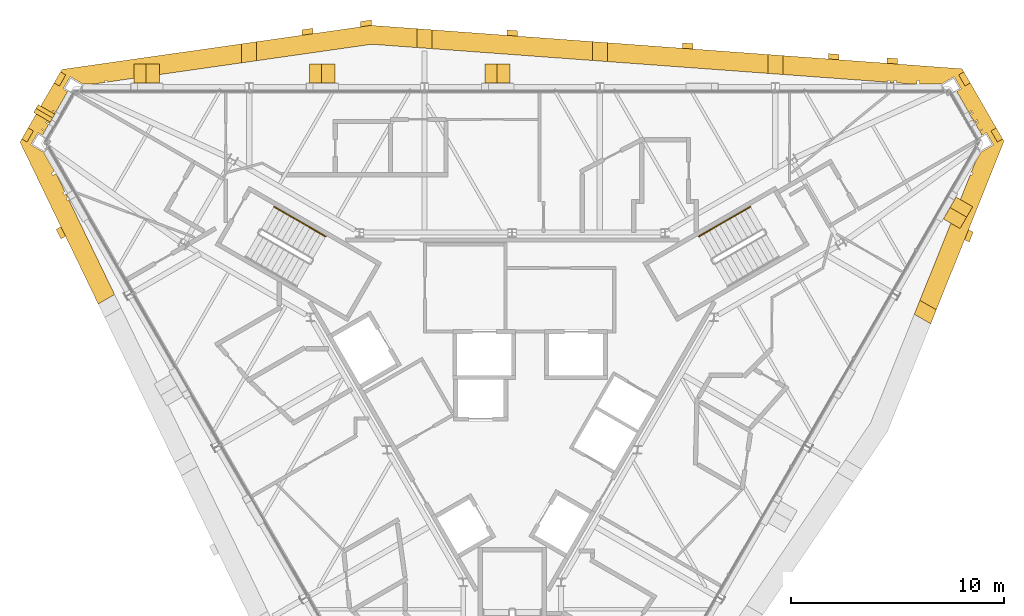
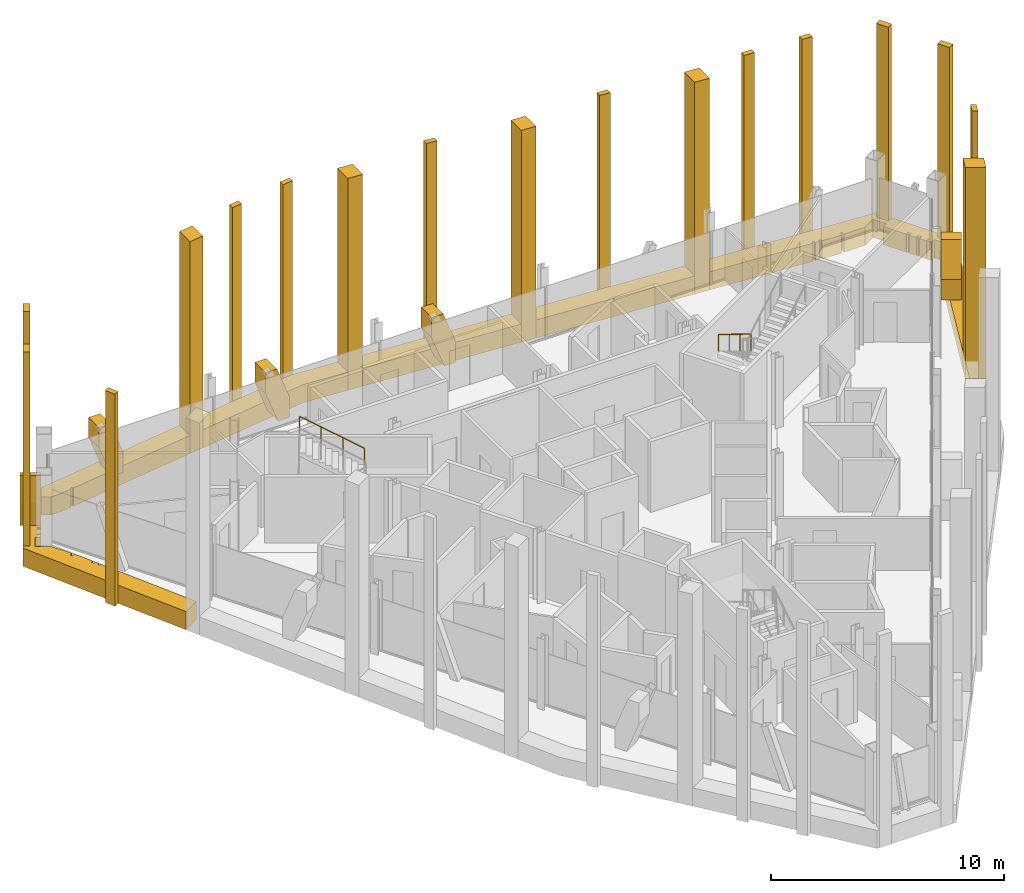
# One storey, part 15 of 15: 27 coverings, 2 railings.
"""IFC4 building model written with IfcOpenShell, lengths in metres."""

import ifcopenshell
import ifcopenshell.guid

model = None  # the IFC model being written
_history = None  # IfcOwnerHistory: only IFC2X3 demands one
_inside = {}  # id of a spatial element -> (the spatial element, [elements in it])
_under = {}  # id of a project, library or spatial element -> (it, [spatial elements below it])
_declared = {}  # id of a project -> (the project, [libraries it declares])
_typed = {}  # id of a type object -> (the type object, [elements of that type])
_made_of = {}  # id of a material, layer set ... -> (it, [elements and type objects made of it])


def new_model(schema):
    """Start an empty IFC model of exactly this schema.

    Asked for "IFC4X3", IfcOpenShell would pick the latest addendum, in which some entities
    have other attributes; the version numbers below select the first issue.
    IFC2X3 requires an IfcOwnerHistory on every rooted entity: one is made here for all.
    """
    global model, _history
    if schema == "IFC4X3":
        model = ifcopenshell.file(schema_version=(4, 3, 0, 0))
    else:
        model = ifcopenshell.file(schema=schema)
    _inside.clear()
    _under.clear()
    _declared.clear()
    _typed.clear()
    _made_of.clear()
    _history = None
    if model.schema == "IFC2X3":
        org = make("IfcOrganization", Name="unknown")
        user = make(
            "IfcPersonAndOrganization",
            ThePerson=make("IfcPerson", FamilyName="unknown"),
            TheOrganization=org,
        )
        app = make(
            "IfcApplication",
            ApplicationDeveloper=org,
            Version="unknown",
            ApplicationFullName="unknown",
            ApplicationIdentifier="unknown",
        )
        _history = make(
            "IfcOwnerHistory",
            OwningUser=user,
            OwningApplication=app,
            ChangeAction="ADDED",
            CreationDate=0,
        )
    return model


def make(cls, **values):
    """One entity of the class cls with the attributes given. An attribute that is None is left unset."""
    return model.create_entity(
        cls, **{name: value for name, value in values.items() if value is not None}
    )


def rooted(cls, **values):
    """An entity with a GlobalId (a new one), such as an element, a storey or a relation."""
    return make(cls, GlobalId=ifcopenshell.guid.new(), OwnerHistory=_history, **values)


def si_unit(unit_type, name, prefix=None):
    """IfcSIUnit, for example si_unit("LENGTHUNIT", "METRE", prefix="MILLI")."""
    return make("IfcSIUnit", UnitType=unit_type, Prefix=prefix, Name=name)


def assignment(units):
    """IfcUnitAssignment: the units of a project."""
    return None if units is None else make("IfcUnitAssignment", Units=units)


def point(xyz):
    """IfcCartesianPoint."""
    return None if xyz is None else make("IfcCartesianPoint", Coordinates=xyz)


def direction(xyz):
    """IfcDirection."""
    return None if xyz is None else make("IfcDirection", DirectionRatios=xyz)


def frame(location, z_axis=None, x_axis=None):
    """IfcAxis2Placement3D, a coordinate frame: its origin and axes. An axis left out is left unset."""
    return make(
        "IfcAxis2Placement3D",
        Location=point(location),
        Axis=direction(z_axis),
        RefDirection=direction(x_axis),
    )


def frame_2d(location, x_axis=None):
    """IfcAxis2Placement2D, a coordinate frame in the plane: its origin and x axis."""
    return make(
        "IfcAxis2Placement2D", Location=point(location), RefDirection=direction(x_axis)
    )


def origin():
    """The frame at (0, 0, 0) with its axes left unset."""
    return frame((0.0, 0.0, 0.0))


def origin_2d():
    """The frame at (0, 0) in the plane with its x axis left unset."""
    return frame_2d((0.0, 0.0))


def place(relative_to, where):
    """IfcLocalPlacement: puts the frame where relative to a parent placement (None: the world)."""
    return make(
        "IfcLocalPlacement", PlacementRelTo=relative_to, RelativePlacement=where
    )


def context(
    kind, dimensions, precision=None, world=None, true_north=None, identifier=None
):
    """IfcGeometricRepresentationContext, for example the 3D "Model" context."""
    return make(
        "IfcGeometricRepresentationContext",
        ContextIdentifier=identifier,
        ContextType=kind,
        CoordinateSpaceDimension=dimensions,
        Precision=precision,
        WorldCoordinateSystem=world,
        TrueNorth=true_north,
    )


def subcontext(parent, identifier, kind, view, scale=None):
    """IfcGeometricRepresentationSubContext, for example "Body" below "Model"."""
    return make(
        "IfcGeometricRepresentationSubContext",
        ContextIdentifier=identifier,
        ContextType=kind,
        ParentContext=parent,
        TargetScale=scale,
        TargetView=view,
    )


def project(units=None, contexts=None):
    """IfcProject with its units and contexts."""
    return rooted(
        "IfcProject",
        Name="project",
        RepresentationContexts=contexts,
        UnitsInContext=assignment(units),
    )


def spatial(cls, under=None, at=None, **own):
    """A site, building, storey or space (cls), placed at a placement, below another one or the project."""
    s = rooted(cls, ObjectPlacement=at, **own)
    if under is not None:
        _under.setdefault(under.id(), (under, []))[1].append(s)
    return s


def polyline(points):
    """IfcPolyline through the points."""
    return make("IfcPolyline", Points=[point(p) for p in points])


def profile(cls, at=None, kind="AREA", **sizes):
    """A parametric profile (cls). Its sizes go by their IFC names, for example OverallWidth=200.0."""
    return make(cls, ProfileType=kind, Position=at, **sizes)


def circle(**sizes):
    """IfcCircleProfileDef."""
    return profile("IfcCircleProfileDef", **sizes)


def outline(outer, holes=None, kind="AREA"):
    """IfcArbitraryClosedProfileDef: a profile drawn as a closed curve; with holes, ...WithVoids."""
    if holes is None:
        return make("IfcArbitraryClosedProfileDef", ProfileType=kind, OuterCurve=outer)
    return make(
        "IfcArbitraryProfileDefWithVoids",
        ProfileType=kind,
        OuterCurve=outer,
        InnerCurves=holes,
    )


def extrude(swept, where, along, depth):
    """IfcExtrudedAreaSolid: the profile swept, set in the frame where, extruded along a direction by depth."""
    return make(
        "IfcExtrudedAreaSolid",
        SweptArea=swept,
        Position=where,
        ExtrudedDirection=direction(along),
        Depth=depth,
    )


def shape(context_of_items, identifier, shape_type, items):
    """IfcShapeRepresentation: the items that make up one representation, for example the "Body"."""
    return make(
        "IfcShapeRepresentation",
        ContextOfItems=context_of_items,
        RepresentationIdentifier=identifier,
        RepresentationType=shape_type,
        Items=items,
    )


def material(Name=None, Category=None):
    """IfcMaterial."""
    return make("IfcMaterial", Name=Name, Category=Category)


def layer(
    of_material, thickness, ventilated=None, Name=None, Category=None, Priority=None
):
    """IfcMaterialLayer: one layer of a wall or slab, of a material (None: an air gap)."""
    return make(
        "IfcMaterialLayer",
        Material=of_material,
        LayerThickness=thickness,
        IsVentilated=ventilated,
        Name=Name,
        Category=Category,
        Priority=Priority,
    )


def layer_set(layers, Name=None):
    """IfcMaterialLayerSet."""
    return make("IfcMaterialLayerSet", MaterialLayers=layers, LayerSetName=Name)


def made_of(thing, what):
    """Note that an element or type object is made of a material, layer set ...; save() writes the relation."""
    if what is not None:
        _made_of.setdefault(what.id(), (what, []))[1].append(thing)
    return thing


def type_object(cls, material=None, **own):
    """A type object (cls), such as IfcWallType, which elements share."""
    return made_of(rooted(cls, **own), material)


def element(
    cls,
    number,
    at=None,
    inside=None,
    cuts=None,
    type_object=None,
    material=None,
    context=None,
    identifier="Body",
    shape_type=None,
    held_by="IfcProductDefinitionShape",
    body=None,
    shapes=None,
    **own,
):
    """One element of the class cls, such as IfcWall. Its Tag is "e" and its number.

    at: its placement. inside: the storey or other place that contains it. cuts: it is an
    opening in that element (IfcRelVoidsElement). A single representation is given by context,
    identifier, shape_type and body (its items); several are given by shapes. held_by: the class
    of the entity that holds the representations. save() writes the other relations.
    """
    e = rooted(cls, Tag="e%d" % number, ObjectPlacement=at, **own)
    if body is not None:
        shapes = [shape(context, identifier, shape_type, body)]
    if shapes is not None:
        e.Representation = make(held_by, Representations=shapes)
    if inside is not None:
        _inside.setdefault(inside.id(), (inside, []))[1].append(e)
    if cuts is not None:
        rooted(
            "IfcRelVoidsElement", RelatingBuildingElement=cuts, RelatedOpeningElement=e
        )
    if type_object is not None:
        _typed.setdefault(type_object.id(), (type_object, []))[1].append(e)
    return made_of(e, material)


def aggregate(whole, parts):
    """IfcRelAggregates: a whole, such as a stair, and the parts it consists of."""
    return rooted("IfcRelAggregates", RelatingObject=whole, RelatedObjects=parts)


def save(model, path):
    """Write the relations noted so far, then the file.

    IfcRelAggregates (storeys below a building ...), IfcRelContainedInSpatialStructure (elements
    in a storey), IfcRelDefinesByType, IfcRelAssociatesMaterial and IfcRelDeclares: one each for
    every whole, place, type object, material and project.
    """
    for whole, parts in _under.values():
        aggregate(whole, parts)
    for where, things in _inside.values():
        rooted(
            "IfcRelContainedInSpatialStructure",
            RelatedElements=things,
            RelatingStructure=where,
        )
    for kind, things in _typed.values():
        rooted("IfcRelDefinesByType", RelatedObjects=things, RelatingType=kind)
    for what, things in _made_of.values():
        rooted("IfcRelAssociatesMaterial", RelatedObjects=things, RelatingMaterial=what)
    for by, libraries in _declared.values():
        rooted("IfcRelDeclares", RelatingContext=by, RelatedDefinitions=libraries)
    model.write(path)


model = new_model("IFC4")

# Units and contexts
model_context = context("Model", 3, precision=1e-05, world=origin(), true_north=direction((0.0, 1.0)))
body_context = subcontext(model_context, "Body", "Model", "MODEL_VIEW")
ifc_project = project(units=[si_unit("LENGTHUNIT", "METRE"), si_unit("AREAUNIT", "SQUARE_METRE"), si_unit("VOLUMEUNIT", "CUBIC_METRE"), si_unit("PLANEANGLEUNIT", "RADIAN"), si_unit("MASSUNIT", "GRAM", prefix="KILO")], contexts=[model_context])

# Site, building, storey
site_placement = place(None, origin())
site = spatial("IfcSite", under=ifc_project, at=site_placement, CompositionType="ELEMENT")
building_placement = place(site_placement, origin())
building = spatial("IfcBuilding", under=site, at=building_placement, Name="Verrane Prism Tower", CompositionType="ELEMENT")
storey_placement = place(building_placement, frame((0.0, 0.0, 297.300048828125)))
storey = spatial("IfcBuildingStorey", under=building, at=storey_placement, Name="L75", CompositionType="ELEMENT", Elevation=297.300048828125)

# Railings
ifc_material_1 = material(Name="Steel A36 tube", Category="steel")
railing_type = type_object("IfcRailingType", Name="Stair handrail 900 steel tube", PredefinedType="HANDRAIL", material=ifc_material_1)
railing_1_placement = place(storey_placement, frame((11.189453125, 8.01904296875, 0.168212890625)))
element("IfcRailing", 1, at=railing_1_placement, inside=storey, type_object=railing_type, Name="Stair 1 handrail", PredefinedType="HANDRAIL", context=body_context, shape_type="SweptSolid", body=[
    extrude(circle(Radius=0.02392578125, at=origin_2d()), frame((0.0, 0.0, 0.8759765625), z_axis=(-0.74241905619, -0.428617687091, 0.514879426), x_axis=(0.49998411664, -0.866034573852, 0.0)), (0.0, 0.0, 1.0), 3.26611328125),
    extrude(circle(Radius=0.02099609375, at=origin_2d()), origin(), (0.0, 0.0, 1.0), 0.851806640625),
    extrude(circle(Radius=0.02099609375, at=origin_2d()), frame((-0.808349609375, -0.466552734375, 0.560546875)), (0.0, 0.0, 1.0), 0.851806640625),
    extrude(circle(Radius=0.02099609375, at=origin_2d()), frame((-1.616455078125, -0.933349609375, 1.12109375)), (0.0, 0.0, 1.0), 0.851806640625),
    extrude(circle(Radius=0.02099609375, at=origin_2d()), frame((-2.4248046875, -1.39990234375, 1.681640625)), (0.0, 0.0, 1.0), 0.851806640625),
])
railing_2_placement = place(storey_placement, frame((-8.7646484375, 6.619140625, 2.01806640625)))
element("IfcRailing", 2, at=railing_2_placement, inside=storey, type_object=railing_type, Name="Stair 2 handrail", PredefinedType="HANDRAIL", context=body_context, shape_type="SweptSolid", body=[
    extrude(circle(Radius=0.02392578125, at=origin_2d()), frame((0.0, 0.0, 0.8759765625), z_axis=(-0.742390482028, 0.42860119049, 0.514934356695), x_axis=(-0.49998411664, -0.866034573852, 0.0)), (0.0, 0.0, 1.0), 3.26611328125),
    extrude(circle(Radius=0.02099609375, at=origin_2d()), origin(), (0.0, 0.0, 1.0), 0.851806640625),
    extrude(circle(Radius=0.02099609375, at=origin_2d()), frame((-0.808349609375, 0.466552734375, 0.560546875)), (0.0, 0.0, 1.0), 0.851806640625),
    extrude(circle(Radius=0.02099609375, at=origin_2d()), frame((-1.616455078125, 0.933349609375, 1.121337890625)), (0.0, 0.0, 1.0), 0.851806640625),
    extrude(circle(Radius=0.02099609375, at=origin_2d()), frame((-2.4248046875, 1.39990234375, 1.681884765625)), (0.0, 0.0, 1.0), 0.851806640625),
])

# Coverings
ifc_material_2 = material(Name="Warm limestone cladding", Category="masonry")
ifc_layer_1 = layer(ifc_material_2, 0.89990234375)
ifc_layer_set_1 = layer_set([ifc_layer_1], Name="Stone brace fin 900")
covering_type_1 = type_object("IfcCoveringType", Name="Stone brace fin 900", PredefinedType="CLADDING", material=ifc_layer_set_1)
for number, where, z_axis, x_axis, name in (
    (3, (-0.093505859375, 14.27783203125, 0.0), (0.0, 0.0, 1.0), (-1.0, 0.0, 0.0), "Stone brace fin N3 L75"),
    (4, (-8.33349609375, 14.27783203125, 0.0), (0.0, 0.0, 1.0), (-1.0, 0.0, 0.0), "Stone brace fin N4 L75"),
    (5, (-16.573486328125, 14.27783203125, 0.0), (0.0, 0.0, 1.0), (-1.0, 0.0, 0.0), "Stone brace fin N5 L75"),
):
    element("IfcCovering", number, at=place(storey_placement, frame(where, z_axis=z_axis, x_axis=x_axis)), inside=storey, type_object=covering_type_1, Name=name, PredefinedType="CLADDING", context=body_context, shape_type="SweptSolid", body=[
        extrude(outline(polyline([(1.186279296875, 2.75), (0.62109375, 2.75), (0.0, 1.076416015625), (0.0, 0.0), (0.560302734375, 0.0), (1.186279296875, 1.686279296875), (1.186279296875, 2.75)])), frame((0.0, 0.449951171875, 0.0), z_axis=(0.0, -1.0, 0.0), x_axis=(1.0, 0.0, 0.0)), (0.0, 0.0, 1.0), 0.89990234375),
    ])
covering_1_placement = place(storey_placement, frame((20.650390625, 7.21728515625, 0.0), z_axis=(0.0, 0.0, 1.0), x_axis=(0.499900536046, 0.86608282171, 0.0)))
element("IfcCovering", 6, at=covering_1_placement, inside=storey, type_object=covering_type_1, Name="Stone brace fin SE5 L75", PredefinedType="CLADDING", context=body_context, shape_type="SweptSolid", body=[
    extrude(outline(polyline([(1.18701171875, 2.75), (0.62158203125, 2.75), (0.0, 1.075927734375), (0.0, 0.0), (0.560546875, 0.0), (1.18701171875, 1.686767578125), (1.18701171875, 2.75)])), frame((0.0, 0.449951171875, 0.0), z_axis=(0.0, -1.0, 0.0), x_axis=(1.0, 0.0, 0.0)), (0.0, 0.0, 1.0), 0.89990234375),
])
covering_2_placement = place(storey_placement, frame((-21.8798828125, 12.588623046875, 0.0), z_axis=(0.0, 0.0, 1.0), x_axis=(-0.500583620621, -0.865688187955, 0.0)))
element("IfcCovering", 7, at=covering_2_placement, inside=storey, type_object=covering_type_1, Name="Stone brace fin NW1 L75", PredefinedType="CLADDING", context=body_context, shape_type="SweptSolid", body=[
    extrude(outline(polyline([(0.42529296875, 2.75), (0.2041015625, 2.75), (0.0, 1.25732421875), (0.0, 0.0), (0.23828125, 0.0), (0.42529296875, 1.365478515625), (0.42529296875, 2.75)])), frame((0.0, 0.449951171875, 0.0), z_axis=(0.0, -1.0, 0.0), x_axis=(1.0, 0.0, 0.0)), (0.0, 0.0, 1.0), 0.89990234375),
])
ifc_material_3 = material(Name="Warm limestone cladding", Category="masonry")
covering_type_2 = type_object("IfcCoveringType", Name="Stone corner pier 600", PredefinedType="CLADDING", material=ifc_material_3)
covering_3_placement = place(storey_placement, frame((0.0, 0.0, -0.949951171875)))
element("IfcCovering", 8, at=covering_3_placement, inside=storey, type_object=covering_type_2, Name="Stone pier MC-NE.a L75-L77", PredefinedType="CLADDING", context=body_context, shape_type="SweptSolid", body=[
    extrude(outline(polyline([(22.4931640625, 11.578857421875), (22.5087890625, 11.5517578125), (22.793212890625, 11.05908203125), (23.039794921875, 11.20166015625), (22.73974609375, 11.72119140625), (22.4931640625, 11.578857421875)])), origin(), (0.0, 0.0, 1.0), 11.099853515625),
])
covering_4_placement = place(storey_placement, frame((0.0, 0.0, -0.949951171875)))
element("IfcCovering", 9, at=covering_4_placement, inside=storey, type_object=covering_type_2, Name="Stone pier MC-NE.b L75-L77", PredefinedType="CLADDING", context=body_context, shape_type="SweptSolid", body=[
    extrude(outline(polyline([(20.97412109375, 14.209716796875), (20.98974609375, 14.182861328125), (21.274169921875, 13.690185546875), (21.520751953125, 13.83251953125), (21.220703125, 14.352294921875), (20.97412109375, 14.209716796875)])), origin(), (0.0, 0.0, 1.0), 11.099853515625),
])
covering_5_placement = place(storey_placement, frame((0.0, 0.0, -0.949951171875)))
element("IfcCovering", 10, at=covering_5_placement, inside=storey, type_object=covering_type_2, Name="Stone pier MC-NW.a L75-L77", PredefinedType="CLADDING", context=body_context, shape_type="SweptSolid", body=[
    extrude(outline(polyline([(-21.274169921875, 13.690185546875), (-20.97412109375, 14.209716796875), (-21.220703125, 14.352294921875), (-21.520751953125, 13.83251953125), (-21.274169921875, 13.690185546875)])), origin(), (0.0, 0.0, 1.0), 11.099853515625),
])
covering_6_placement = place(storey_placement, frame((0.0, 0.0, -0.949951171875)))
element("IfcCovering", 11, at=covering_6_placement, inside=storey, type_object=covering_type_2, Name="Stone pier MC-NW.b L75-L77", PredefinedType="CLADDING", context=body_context, shape_type="SweptSolid", body=[
    extrude(outline(polyline([(-22.793212890625, 11.05908203125), (-22.4931640625, 11.578857421875), (-22.73974609375, 11.72119140625), (-23.039794921875, 11.20166015625), (-22.793212890625, 11.05908203125)])), origin(), (0.0, 0.0, 1.0), 11.099853515625),
])
ifc_material_4 = material(Name="Warm limestone cladding", Category="masonry")
covering_type_3 = type_object("IfcCoveringType", Name="Stone mullion pier 500", PredefinedType="CLADDING", material=ifc_material_4)
covering_7_placement = place(storey_placement, frame((0.0, 0.0, -0.949951171875)))
element("IfcCovering", 12, at=covering_7_placement, inside=storey, type_object=covering_type_3, Name="Stone pier SM-N0.1 L75-L77", PredefinedType="CLADDING", context=body_context, shape_type="SweptSolid", body=[
    extrude(outline(polyline([(17.607177734375, 14.757568359375), (18.107177734375, 14.720703125), (18.107177734375, 14.971435546875), (17.607177734375, 15.00830078125), (17.607177734375, 14.757568359375)])), origin(), (0.0, 0.0, 1.0), 11.099853515625),
])
covering_8_placement = place(storey_placement, frame((0.0, 0.0, -0.949951171875)))
element("IfcCovering", 13, at=covering_8_placement, inside=storey, type_object=covering_type_3, Name="Stone pier SM-N0.2 L75-L77", PredefinedType="CLADDING", context=body_context, shape_type="SweptSolid", body=[
    extrude(outline(polyline([(14.860107421875, 14.959716796875), (15.360107421875, 14.9228515625), (15.360107421875, 15.173583984375), (14.860107421875, 15.210205078125), (14.860107421875, 14.959716796875)])), origin(), (0.0, 0.0, 1.0), 11.099853515625),
])
covering_9_placement = place(storey_placement, frame((0.0, 0.0, -0.949951171875)))
element("IfcCovering", 14, at=covering_9_placement, inside=storey, type_object=covering_type_3, Name="Stone pier SM-N1.1 L75-L77", PredefinedType="CLADDING", context=body_context, shape_type="SweptSolid", body=[
    extrude(outline(polyline([(7.99169921875, 15.464599609375), (8.49169921875, 15.427978515625), (8.49169921875, 15.6787109375), (7.99169921875, 15.71533203125), (7.99169921875, 15.464599609375)])), origin(), (0.0, 0.0, 1.0), 11.099853515625),
])
covering_10_placement = place(storey_placement, frame((0.0, 0.0, -0.949951171875)))
element("IfcCovering", 15, at=covering_10_placement, inside=storey, type_object=covering_type_3, Name="Stone pier SM-N2.1 L75-L77", PredefinedType="CLADDING", context=body_context, shape_type="SweptSolid", body=[
    extrude(outline(polyline([(-0.25, 16.07080078125), (0.25, 16.033935546875), (0.25, 16.28466796875), (-0.25, 16.3212890625), (-0.25, 16.07080078125)])), origin(), (0.0, 0.0, 1.0), 11.099853515625),
])
covering_11_placement = place(storey_placement, frame((0.0, 0.0, -0.949951171875)))
element("IfcCovering", 16, at=covering_11_placement, inside=storey, type_object=covering_type_3, Name="Stone pier SM-N3.1 L75-L77", PredefinedType="CLADDING", context=body_context, shape_type="SweptSolid", body=[
    extrude(outline(polyline([(-7.1181640625, 16.468994140625), (-6.623779296875, 16.539306640625), (-6.6181640625, 16.5390625), (-6.6181640625, 16.789794921875), (-6.63232421875, 16.790771484375), (-7.1181640625, 16.721435546875), (-7.1181640625, 16.468994140625)])), origin(), (0.0, 0.0, 1.0), 11.099853515625),
])
covering_12_placement = place(storey_placement, frame((0.0, 0.0, -0.949951171875)))
element("IfcCovering", 17, at=covering_12_placement, inside=storey, type_object=covering_type_3, Name="Stone pier SM-N3.2 L75-L77", PredefinedType="CLADDING", context=body_context, shape_type="SweptSolid", body=[
    extrude(outline(polyline([(-9.865478515625, 16.07666015625), (-9.365478515625, 16.148193359375), (-9.365478515625, 16.400634765625), (-9.865478515625, 16.3291015625), (-9.865478515625, 16.07666015625)])), origin(), (0.0, 0.0, 1.0), 11.099853515625),
])
covering_13_placement = place(storey_placement, frame((0.0, 0.0, -0.949951171875)))
element("IfcCovering", 18, at=covering_13_placement, inside=storey, type_object=covering_type_3, Name="Stone pier SM-SW0.1 L75-L77", PredefinedType="CLADDING", context=body_context, shape_type="SweptSolid", body=[
    extrude(outline(polyline([(-20.984619140625, 6.62939453125), (-21.202880859375, 7.080810546875), (-21.419921875, 6.95556640625), (-21.201904296875, 6.504150390625), (-20.984619140625, 6.62939453125)])), origin(), (0.0, 0.0, 1.0), 11.099853515625),
])
covering_14_placement = place(storey_placement, frame((0.0, 0.0, -0.949951171875)))
element("IfcCovering", 19, at=covering_14_placement, inside=storey, type_object=covering_type_3, Name="Stone pier SM-SE4.1 L75-L77", PredefinedType="CLADDING", context=body_context, shape_type="SweptSolid", body=[
    extrude(outline(polyline([(21.440673828125, 6.943603515625), (21.25244140625, 6.474853515625), (21.47119140625, 6.3486328125), (21.6591796875, 6.8173828125), (21.440673828125, 6.943603515625)])), origin(), (0.0, 0.0, 1.0), 11.099853515625),
])
ifc_material_5 = material(Name="Warm limestone cladding", Category="masonry")
covering_type_4 = type_object("IfcCoveringType", Name="Stone pier 700", PredefinedType="CLADDING", material=ifc_material_5)
covering_15_placement = place(storey_placement, frame((0.0, 0.0, -0.949951171875)))
element("IfcCovering", 20, at=covering_15_placement, inside=storey, type_object=covering_type_4, Name="Stone pier PC-N1 L75-L77", PredefinedType="CLADDING", context=body_context, shape_type="SweptSolid", body=[
    extrude(outline(polyline([(12.0126953125, 15.1689453125), (12.0126953125, 14.28173828125), (12.712646484375, 14.230224609375), (12.712646484375, 15.117431640625), (12.0126953125, 15.1689453125)])), origin(), (0.0, 0.0, 1.0), 11.099853515625),
])
covering_16_placement = place(storey_placement, frame((0.0, 0.0, -0.949951171875)))
element("IfcCovering", 21, at=covering_16_placement, inside=storey, type_object=covering_type_4, Name="Stone pier PC-N2 L75-L77", PredefinedType="CLADDING", context=body_context, shape_type="SweptSolid", body=[
    extrude(outline(polyline([(3.77099609375, 15.77490234375), (3.77099609375, 14.887939453125), (4.470947265625, 14.83642578125), (4.470947265625, 15.7236328125), (3.77099609375, 15.77490234375)])), origin(), (0.0, 0.0, 1.0), 11.099853515625),
])
covering_17_placement = place(storey_placement, frame((0.0, 0.0, -0.949951171875)))
element("IfcCovering", 22, at=covering_17_placement, inside=storey, type_object=covering_type_4, Name="Stone pier PC-N3 L75-L77", PredefinedType="CLADDING", context=body_context, shape_type="SweptSolid", body=[
    extrude(outline(polyline([(-4.470947265625, 16.381103515625), (-4.470947265625, 15.493896484375), (-3.77099609375, 15.4423828125), (-3.77099609375, 16.32958984375), (-4.470947265625, 16.381103515625)])), origin(), (0.0, 0.0, 1.0), 11.099853515625),
])
covering_18_placement = place(storey_placement, frame((0.0, 0.0, -0.949951171875)))
element("IfcCovering", 23, at=covering_18_placement, inside=storey, type_object=covering_type_4, Name="Stone pier PC-N4 L75-L77", PredefinedType="CLADDING", context=body_context, shape_type="SweptSolid", body=[
    extrude(outline(polyline([(-12.712646484375, 15.67041015625), (-12.712646484375, 14.776611328125), (-12.0126953125, 14.87646484375), (-12.0126953125, 15.770263671875), (-12.712646484375, 15.67041015625)])), origin(), (0.0, 0.0, 1.0), 11.099853515625),
])
covering_19_placement = place(storey_placement, frame((0.0, 0.0, -0.949951171875)))
element("IfcCovering", 24, at=covering_19_placement, inside=storey, type_object=covering_type_4, Name="Stone pier PC-SE4 L75-L77", PredefinedType="CLADDING", context=body_context, shape_type="SweptSolid", body=[
    extrude(outline(polyline([(19.92724609375, 3.17431640625), (19.1533203125, 3.621337890625), (18.8896484375, 2.965087890625), (19.663818359375, 2.518310546875), (19.92724609375, 3.17431640625)])), origin(), (0.0, 0.0, 1.0), 11.099853515625),
])
ifc_material_6 = material(Name="Warm limestone cladding", Category="masonry")
ifc_layer_2 = layer(ifc_material_6, 0.449951171875)
ifc_layer_set_2 = layer_set([ifc_layer_2], Name="Stone spandrel band 450")
covering_type_5 = type_object("IfcCoveringType", Name="Stone spandrel band 450", PredefinedType="CLADDING", material=ifc_layer_set_2)
covering_20_placement = place(storey_placement, frame((0.0, 0.0, -0.949951171875)))
element("IfcCovering", 25, at=covering_20_placement, inside=storey, type_object=covering_type_5, Name="Stone spandrel band L75 part 2", PredefinedType="CLADDING", context=body_context, shape_type="SweptSolid", body=[
    extrude(outline(polyline([(12.712646484375, 14.230224609375), (16.573486328125, 13.9462890625), (16.573486328125, 13.949951171875), (16.69091796875, 13.949951171875), (16.69091796875, 13.937744140625), (17.637451171875, 13.8681640625), (17.637451171875, 13.949951171875), (17.759765625, 13.949951171875), (17.759765625, 13.859130859375), (17.94677734375, 13.845458984375), (17.94677734375, 13.949951171875), (18.064453125, 13.949951171875), (18.064453125, 13.8369140625), (18.791015625, 13.783447265625), (19.010986328125, 13.783447265625), (19.010986328125, 13.949951171875), (19.13330078125, 13.949951171875), (19.13330078125, 13.783447265625), (20.1708984375, 13.783447265625), (20.76416015625, 14.125732421875), (21.093994140625, 13.55419921875), (20.8837890625, 13.432861328125), (21.443115234375, 12.464111328125), (21.584716796875, 12.5458984375), (21.599365234375, 12.520263671875), (21.4580078125, 12.4384765625), (21.49853515625, 12.3681640625), (21.639892578125, 12.449951171875), (21.66357421875, 12.409423828125), (21.52197265625, 12.32763671875), (21.6962890625, 12.025390625), (21.838134765625, 12.107421875), (21.852783203125, 12.081787109375), (21.711181640625, 12.0), (21.751708984375, 11.9296875), (21.893310546875, 12.01171875), (21.916748046875, 11.97119140625), (21.775146484375, 11.88916015625), (21.949462890625, 11.587158203125), (22.09130859375, 11.669189453125), (22.106201171875, 11.6435546875), (21.96435546875, 11.5615234375), (22.07275390625, 11.373779296875), (22.2841796875, 11.495849609375), (22.614013671875, 10.92431640625), (22.027099609375, 10.585205078125), (21.77197265625, 10.143310546875), (21.57080078125, 9.642578125), (21.646484375, 9.59912109375), (21.585205078125, 9.4931640625), (21.52490234375, 9.528076171875), (19.1533203125, 3.621337890625), (19.92724609375, 3.17431640625), (23.10498046875, 11.088623046875), (23.039794921875, 11.20166015625), (22.793212890625, 11.05908203125), (22.4931640625, 11.578857421875), (22.73974609375, 11.72119140625), (21.520751953125, 13.83251953125), (21.274169921875, 13.690185546875), (20.97412109375, 14.209716796875), (21.220703125, 14.352294921875), (21.136474609375, 14.498046875), (12.712646484375, 15.117431640625), (12.712646484375, 14.230224609375)])), origin(), (0.0, 0.0, 1.0), 0.949951171875),
])
covering_21_placement = place(storey_placement, frame((0.0, 0.0, -0.949951171875)))
element("IfcCovering", 26, at=covering_21_placement, inside=storey, type_object=covering_type_5, Name="Stone spandrel band L75 part 3", PredefinedType="CLADDING", context=body_context, shape_type="SweptSolid", body=[
    extrude(outline(polyline([(-18.68017578125, 3.894287109375), (-20.365478515625, 7.381591796875), (-20.366455078125, 7.381103515625), (-20.42529296875, 7.48291015625), (-20.4169921875, 7.48779296875), (-20.830078125, 8.342529296875), (-20.898681640625, 8.302978515625), (-20.959716796875, 8.4091796875), (-20.88330078125, 8.453125), (-20.965087890625, 8.6220703125), (-21.05322265625, 8.571044921875), (-21.112060546875, 8.6728515625), (-21.016357421875, 8.72802734375), (-21.332275390625, 9.3818359375), (-21.443603515625, 9.57470703125), (-21.585205078125, 9.4931640625), (-21.646484375, 9.59912109375), (-21.5048828125, 9.680908203125), (-22.027099609375, 10.585205078125), (-22.614013671875, 10.92431640625), (-22.2841796875, 11.495849609375), (-22.07275390625, 11.373779296875), (-21.96435546875, 11.5615234375), (-22.106201171875, 11.6435546875), (-22.09130859375, 11.669189453125), (-21.949462890625, 11.587158203125), (-21.775146484375, 11.88916015625), (-21.916748046875, 11.97119140625), (-21.893310546875, 12.01171875), (-21.751708984375, 11.9296875), (-21.711181640625, 12.0), (-21.852783203125, 12.081787109375), (-21.838134765625, 12.107421875), (-21.6962890625, 12.025390625), (-21.52197265625, 12.32763671875), (-21.66357421875, 12.409423828125), (-21.639892578125, 12.449951171875), (-21.49853515625, 12.3681640625), (-21.4580078125, 12.4384765625), (-21.599365234375, 12.520263671875), (-21.584716796875, 12.5458984375), (-21.443115234375, 12.464111328125), (-20.8837890625, 13.432861328125), (-21.093994140625, 13.55419921875), (-20.76416015625, 14.125732421875), (-20.1708984375, 13.783447265625), (-19.67041015625, 13.783447265625), (-19.13330078125, 13.860107421875), (-19.13330078125, 13.949951171875), (-19.010986328125, 13.949951171875), (-19.010986328125, 13.87744140625), (-12.712646484375, 14.776611328125), (-12.712646484375, 15.67041015625), (-21.155517578125, 14.465087890625), (-21.220703125, 14.352294921875), (-20.97412109375, 14.209716796875), (-21.274169921875, 13.690185546875), (-21.520751953125, 13.83251953125), (-22.73974609375, 11.72119140625), (-22.4931640625, 11.578857421875), (-22.793212890625, 11.05908203125), (-23.039794921875, 11.20166015625), (-23.1240234375, 11.0556640625), (-19.448486328125, 3.45068359375), (-18.68017578125, 3.894287109375)])), origin(), (0.0, 0.0, 1.0), 0.949951171875),
])
covering_22_placement = place(storey_placement, frame((0.0, 0.0, -0.949951171875)))
element("IfcCovering", 27, at=covering_22_placement, inside=storey, type_object=covering_type_5, Name="Stone spandrel band L75 part 10", PredefinedType="CLADDING", context=body_context, shape_type="SweptSolid", body=[
    extrude(outline(polyline([(4.470947265625, 14.83642578125), (12.0126953125, 14.28173828125), (12.0126953125, 15.1689453125), (4.470947265625, 15.7236328125), (4.470947265625, 14.83642578125)])), origin(), (0.0, 0.0, 1.0), 0.949951171875),
])
covering_23_placement = place(storey_placement, frame((0.0, 0.0, -0.949951171875)))
element("IfcCovering", 28, at=covering_23_placement, inside=storey, type_object=covering_type_5, Name="Stone spandrel band L75 part 11", PredefinedType="CLADDING", context=body_context, shape_type="SweptSolid", body=[
    extrude(outline(polyline([(-3.77099609375, 15.4423828125), (3.77099609375, 14.887939453125), (3.77099609375, 15.77490234375), (-3.77099609375, 16.32958984375), (-3.77099609375, 15.4423828125)])), origin(), (0.0, 0.0, 1.0), 0.949951171875),
])
covering_24_placement = place(storey_placement, frame((0.0, 0.0, -0.949951171875)))
element("IfcCovering", 29, at=covering_24_placement, inside=storey, type_object=covering_type_5, Name="Stone spandrel band L75 part 12", PredefinedType="CLADDING", context=body_context, shape_type="SweptSolid", body=[
    extrude(outline(polyline([(-12.0126953125, 14.87646484375), (-6.593505859375, 15.64990234375), (-4.470947265625, 15.493896484375), (-4.470947265625, 16.381103515625), (-6.623779296875, 16.539306640625), (-12.0126953125, 15.770263671875), (-12.0126953125, 14.87646484375)])), origin(), (0.0, 0.0, 1.0), 0.949951171875),
])

save(model, "model.ifc")
